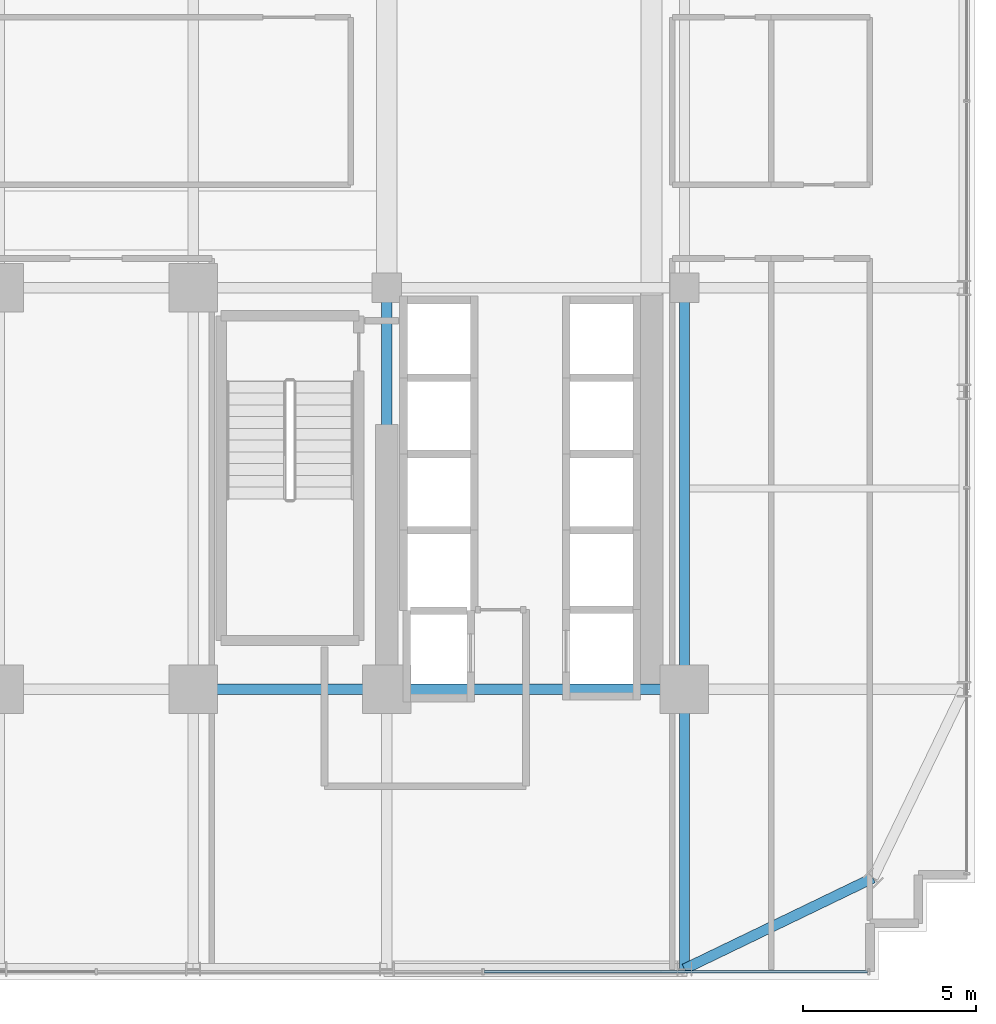
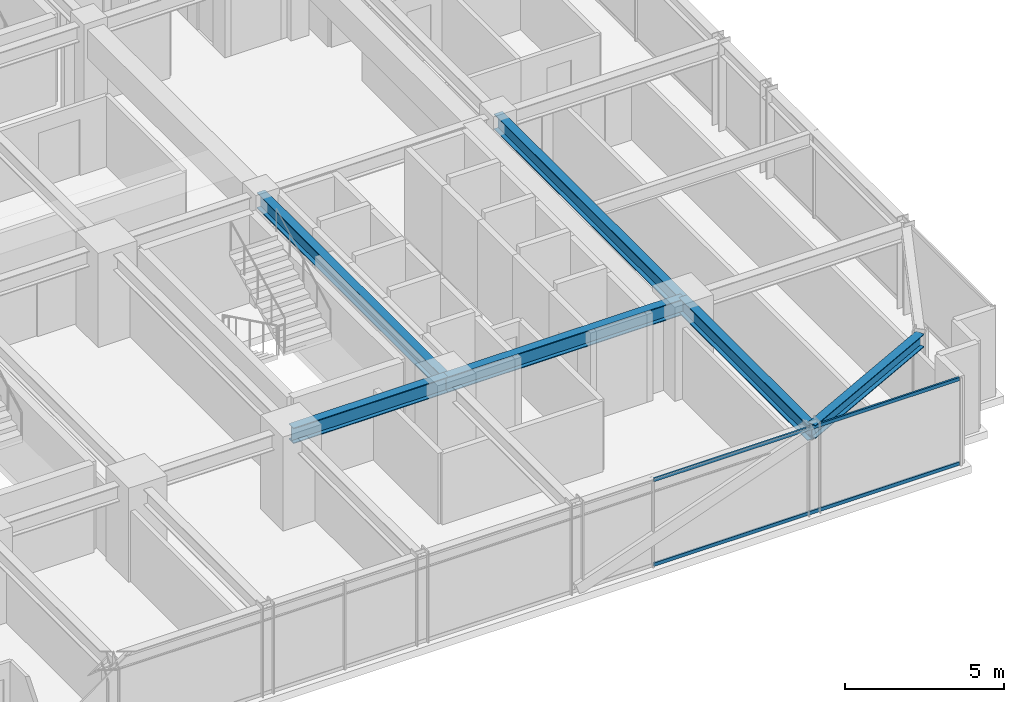
# One storey, part 13 of 36: 6 beams, 2 members, 1 element without a shape of its own.
"""IFC4 building model written with IfcOpenShell, lengths in metres."""

from ifc_helpers import new_model, si_unit, direction, frame, origin, origin_2d, place, context, subcontext, project, spatial, hollow_rectangle, i_section, extrude, source, transform, mapped, material, material_profile, profile_set, type_object, element, aggregate, save


model = new_model("IFC4")

# Units and contexts
model_context = context("Model", 3, precision=1e-05, world=origin(), true_north=direction((0.0, 1.0)))
body_context = subcontext(model_context, "Body", "Model", "MODEL_VIEW")
ifc_project = project(units=[si_unit("LENGTHUNIT", "METRE"), si_unit("AREAUNIT", "SQUARE_METRE"), si_unit("VOLUMEUNIT", "CUBIC_METRE"), si_unit("PLANEANGLEUNIT", "RADIAN"), si_unit("MASSUNIT", "GRAM", prefix="KILO")], contexts=[model_context])

# Site, building, storey
site_placement = place(None, origin())
site = spatial("IfcSite", under=ifc_project, at=site_placement, CompositionType="ELEMENT")
building_placement = place(site_placement, origin())
building = spatial("IfcBuilding", under=site, at=building_placement, Name="Nahalor Promenade Grand Hotel", CompositionType="ELEMENT")
storey_placement = place(building_placement, frame((0.0, 0.0, 76.199951171875)))
storey = spatial("IfcBuildingStorey", under=building, at=storey_placement, Name="L18", CompositionType="ELEMENT", Elevation=76.199951171875)

# Beams
ifc_material_1 = material(Name="Steel S355JR", Category="steel")
ifc_material_profile_1 = material_profile(ifc_material_1, i_section(OverallWidth=0.3, OverallDepth=0.6, WebThickness=0.0155, FlangeThickness=0.03, at=origin_2d()), Name="HEB 600")
ifc_profile_set_1 = profile_set([ifc_material_profile_1], Name="Steel S355JR")
beam_type_1 = type_object("IfcBeamType", Name="Beam-Girder-HEB600", PredefinedType="BEAM", material=ifc_profile_set_1)
shared_shape_1 = source(origin(), body_context, "Body", "SweptSolid", [
    extrude(i_section(OverallWidth=0.3, OverallDepth=0.6, WebThickness=0.0155, FlangeThickness=0.03, at=origin_2d()), origin(), (0.0, 0.0, 1.0), 8.60009765625),
])
beam_1_placement = place(storey_placement, frame((8.39990234375, -17.0, 3.070068359375), z_axis=(1.0, 0.0, 0.0), x_axis=(0.0, 1.0, 0.0)))
element("IfcBeam", 1, at=beam_1_placement, inside=storey, type_object=beam_type_1, Name="BM-L18-GX-0-5", PredefinedType="BEAM", context=body_context, shape_type="MappedRepresentation", body=[
    mapped(shared_shape_1, transform((0.0, 0.0, 0.0), scale=1.0)),
])
shared_shape_2 = source(origin(), body_context, "Body", "SweptSolid", [
    extrude(i_section(OverallWidth=0.3, OverallDepth=0.6, WebThickness=0.0155, FlangeThickness=0.03, at=origin_2d()), origin(), (0.0, 0.0, 1.0), 5.599853515625),
])
beam_2_placement = place(storey_placement, frame((2.800048828125, -17.0, 3.070068359375), z_axis=(1.0, 0.0, 0.0), x_axis=(0.0, 1.0, 0.0)))
element("IfcBeam", 2, at=beam_2_placement, inside=storey, type_object=beam_type_1, Name="BM-L18-GX-0-4", PredefinedType="BEAM", context=body_context, shape_type="MappedRepresentation", body=[
    mapped(shared_shape_2, transform((0.0, 0.0, 0.0), scale=1.0)),
])
shared_shape_3 = source(origin(), body_context, "Body", "SweptSolid", [
    extrude(i_section(OverallWidth=0.3, OverallDepth=0.6, WebThickness=0.0155, FlangeThickness=0.03, at=origin_2d()), origin(), (0.0, 0.0, 1.0), 11.60009765625),
])
for number, where, z_axis, x_axis, name in (
    (3, (8.39990234375, -17.0, 3.070068359375), (0.0, 1.0, 0.0), (-1.0, 0.0, 0.0), "BM-L18-GY-4-1"),
    (4, (17.0, -17.0, 3.070068359375), (0.0, 1.0, 0.0), (-1.0, 0.0, 0.0), "BM-L18-GY-5-1"),
):
    element("IfcBeam", number, at=place(storey_placement, frame(where, z_axis=z_axis, x_axis=x_axis)), inside=storey, type_object=beam_type_1, Name=name, PredefinedType="BEAM", context=body_context, shape_type="MappedRepresentation", body=[
        mapped(shared_shape_3, transform((0.0, 0.0, 0.0), scale=1.0)),
    ])
shared_shape_4 = source(origin(), body_context, "Body", "SweptSolid", [
    extrude(i_section(OverallWidth=0.3, OverallDepth=0.6, WebThickness=0.0155, FlangeThickness=0.03, at=origin_2d()), origin(), (0.0, 0.0, 1.0), 8.080078125),
])
beam_3_placement = place(storey_placement, frame((17.0, -25.080078125, 3.070068359375), z_axis=(0.0, 1.0, 0.0), x_axis=(-1.0, 0.0, 0.0)))
element("IfcBeam", 5, at=beam_3_placement, inside=storey, type_object=beam_type_1, Name="BM-L18-GY-5-0", PredefinedType="BEAM", context=body_context, shape_type="MappedRepresentation", body=[
    mapped(shared_shape_4, transform((0.0, 0.0, 0.0), scale=1.0)),
])
ifc_material_profile_2 = material_profile(ifc_material_1, i_section(OverallWidth=0.3, OverallDepth=0.5, WebThickness=0.0145, FlangeThickness=0.028, at=origin_2d()), Name="HEB 500")
ifc_profile_set_2 = profile_set([ifc_material_profile_2], Name="Steel S355JR")
beam_type_2 = type_object("IfcBeamType", Name="Beam-Spandrel-HEB500", PredefinedType="SPANDREL", material=ifc_profile_set_2)
shared_shape_5 = source(origin(), body_context, "Body", "SweptSolid", [
    extrude(i_section(OverallWidth=0.3, OverallDepth=0.5, WebThickness=0.0145, FlangeThickness=0.028, at=origin_2d()), origin(), (0.0, 0.0, 1.0), 6.051513671875),
])
beam_4_placement = place(storey_placement, frame((17.0, -25.080078125, 3.1201171875), z_axis=(0.900608818852, 0.434630596492, 0.0), x_axis=(-0.434630596492, 0.900608818852, 0.0)))
element("IfcBeam", 6, at=beam_4_placement, inside=storey, type_object=beam_type_2, Name="BM-L18-SPC-SE-1", PredefinedType="SPANDREL", context=body_context, shape_type="MappedRepresentation", body=[
    mapped(shared_shape_5, transform((0.0, 0.0, 0.0), scale=1.0)),
])

# Curtain wall, members
ifc_material_2 = material(Name="Anodised Bronze Aluminium EN AW-6063 T6", Category="aluminium")
curtain_wall_type = type_object("IfcCurtainWallType", Name="CW2 Typical Hotel Flush Bronze Unitised Curtain Wall", PredefinedType="USERDEFINED", material=ifc_material_2)
curtain_wall_placement = place(storey_placement, origin())
curtain_wall = element("IfcCurtainWall", 7, at=curtain_wall_placement, inside=storey, type_object=curtain_wall_type, Name="L18 Curtain Wall CW-L18-S-1", ObjectType="UNITISED_CURTAIN_WALL", PredefinedType="USERDEFINED")
ifc_material_profile_3 = material_profile(ifc_material_2, hollow_rectangle(XDim=0.065, YDim=0.13, WallThickness=0.004, at=origin_2d()), Name="CWT 65x130x4")
ifc_profile_set_3 = profile_set([ifc_material_profile_3], Name="Anodised Bronze Aluminium EN AW-6063 T6")
member_type = type_object("IfcMemberType", Name="CWT2 Typical Bronze Transom 65x130", PredefinedType="USERDEFINED", material=ifc_profile_set_3)
shared_shape_6 = source(origin(), body_context, "Body", "SweptSolid", [
    extrude(hollow_rectangle(XDim=0.065, YDim=0.13, WallThickness=0.004, at=origin_2d()), origin(), (0.0, 0.0, 1.0), 11.08251953125),
])
member_1_placement = place(storey_placement, frame((11.21240234375, -25.159912109375, 0.06494140625), z_axis=(1.0, 0.0, 0.0), x_axis=(0.0, 1.0, 0.0)))
member_1 = element("IfcMember", 8, at=member_1_placement, type_object=member_type, Name="CW-L18-S-1 Transom 3-0", ObjectType="TRANSOM", PredefinedType="USERDEFINED", context=body_context, shape_type="MappedRepresentation", body=[
    mapped(shared_shape_6, transform((0.0, 0.0, 0.0), scale=1.0)),
])
member_2_placement = place(storey_placement, frame((11.21240234375, -25.159912109375, 3.304931640625), z_axis=(1.0, 0.0, 0.0), x_axis=(0.0, 1.0, 0.0)))
member_2 = element("IfcMember", 9, at=member_2_placement, type_object=member_type, Name="CW-L18-S-1 Transom 3-1", ObjectType="TRANSOM", PredefinedType="USERDEFINED", context=body_context, shape_type="MappedRepresentation", body=[
    mapped(shared_shape_6, transform((0.0, 0.0, 0.0), scale=1.0)),
])
aggregate(curtain_wall, [member_1, member_2])

save(model, "model.ifc")
